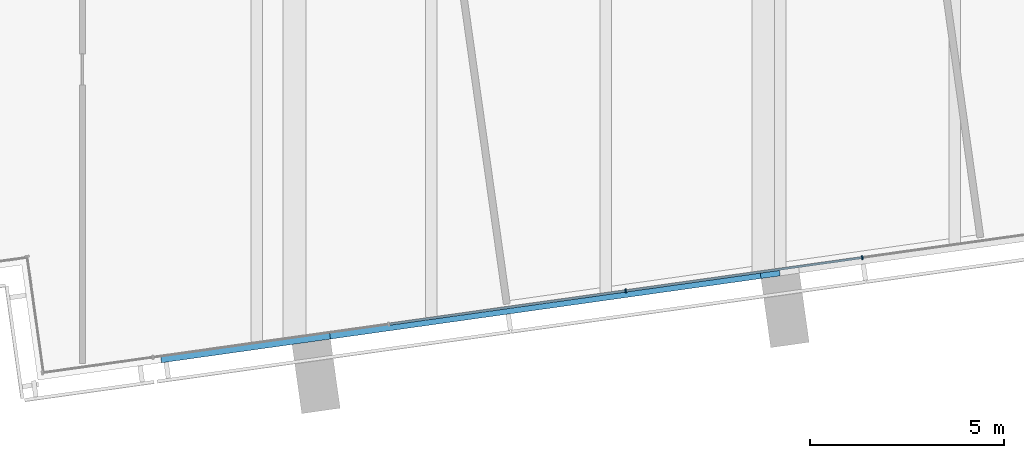
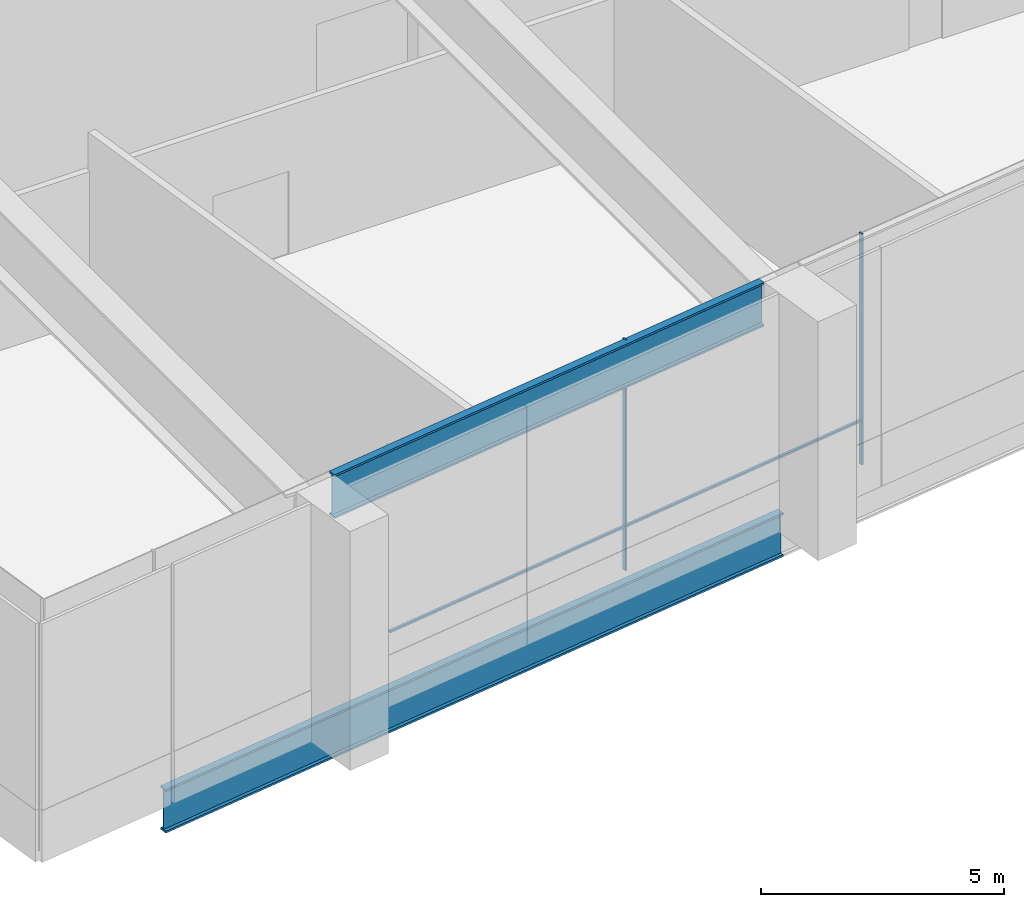
# One storey, part 3 of 25: 4 members, 2 beams, 1 element without a shape of its own.
"""IFC4 building model written with IfcOpenShell, lengths in metres."""

from ifc_helpers import new_model, si_unit, direction, frame, origin, origin_2d, place, context, subcontext, project, spatial, rectangle, i_section, extrude, material, layer, layer_set, material_profile, profile_set, type_object, element, aggregate, save


model = new_model("IFC4")

# Units and contexts
model_context = context("Model", 3, precision=1e-05, world=origin(), true_north=direction((0.0, 1.0)))
body_context = subcontext(model_context, "Body", "Model", "MODEL_VIEW")
ifc_project = project(units=[si_unit("LENGTHUNIT", "METRE"), si_unit("AREAUNIT", "SQUARE_METRE"), si_unit("VOLUMEUNIT", "CUBIC_METRE"), si_unit("PLANEANGLEUNIT", "RADIAN"), si_unit("MASSUNIT", "GRAM", prefix="KILO")], contexts=[model_context])

# Site, building, storey
site_placement = place(None, origin())
site = spatial("IfcSite", under=ifc_project, at=site_placement, CompositionType="ELEMENT")
building_placement = place(site_placement, origin())
building = spatial("IfcBuilding", under=site, at=building_placement, Name="Rattan Terrace Tower", CompositionType="ELEMENT")
storey_placement = place(building_placement, frame((0.0, 0.0, 286.300048828125)))
storey = spatial("IfcBuildingStorey", under=building, at=storey_placement, Name="L66", CompositionType="ELEMENT", Elevation=286.300048828125)

# Beams
ifc_material_1 = material(Name="Steel S460", Category="steel")
ifc_material_profile_1 = material_profile(ifc_material_1, i_section(OverallWidth=0.179931640625, OverallDepth=1.10009765625, WebThickness=0.01611328125, FlangeThickness=0.050048828125, at=origin_2d()), Name="PG 1100x180-16-50")
ifc_profile_set_1 = profile_set([ifc_material_profile_1], Name="Steel S460")
beam_type_1 = type_object("IfcBeamType", Name="Frame edge girder PG 1100x180-16-50", PredefinedType="SPANDREL", material=ifc_profile_set_1)
beam_1_placement = place(storey_placement, frame((-15.969970703125, -26.77099609375, -0.75), z_axis=(0.990265456284, 0.139191688294, 0.0), x_axis=(-0.139191688294, 0.990265456284, 0.0)))
element("IfcBeam", 1, at=beam_1_placement, inside=storey, type_object=beam_type_1, Name="gdr-L66-001", PredefinedType="SPANDREL", context=body_context, shape_type="SweptSolid", body=[
    extrude(i_section(OverallWidth=0.179931640625, OverallDepth=1.10009765625, WebThickness=0.01611328125, FlangeThickness=0.050048828125, at=origin_2d()), origin(), (0.0, 0.0, 1.0), 16.114013671875),
])
ifc_material_2 = material(Name="Steel S460", Category="steel")
ifc_material_profile_2 = material_profile(ifc_material_2, i_section(OverallWidth=0.179931640625, OverallDepth=1.10009765625, WebThickness=0.01611328125, FlangeThickness=0.050048828125, at=origin_2d()), Name="PG 1100x180-16-50")
ifc_profile_set_2 = profile_set([ifc_material_profile_2], Name="Steel S460")
beam_type_2 = type_object("IfcBeamType", Name="Frame transfer girder PG 1100x180-16-50", PredefinedType="USERDEFINED", material=ifc_profile_set_2)
beam_2_placement = place(storey_placement, frame((-11.613037109375, -26.158935546875, 5.25), z_axis=(0.990263988974, 0.139202126929, 0.0), x_axis=(-0.139202126929, 0.990263988974, 0.0)))
element("IfcBeam", 2, at=beam_2_placement, inside=storey, type_object=beam_type_2, Name="trf-L66-005", ObjectType="TRANSFER GIRDER", PredefinedType="USERDEFINED", context=body_context, shape_type="SweptSolid", body=[
    extrude(i_section(OverallWidth=0.179931640625, OverallDepth=1.10009765625, WebThickness=0.01611328125, FlangeThickness=0.050048828125, at=origin_2d()), origin(), (0.0, 0.0, 1.0), 11.214111328125),
])

# Curtain wall, members
ifc_material_3 = material(Name="Aluminium and structural silicone glass", Category="aluminium")
ifc_layer = layer(ifc_material_3, 0.10009765625)
ifc_layer_set = layer_set([ifc_layer], Name="Observation Structural Silicone Curtain Wall")
curtain_wall_type = type_object("IfcCurtainWallType", Name="Observation Structural Silicone Curtain Wall", PredefinedType="NOTDEFINED", material=ifc_layer_set)
curtain_wall_placement = place(storey_placement, origin())
curtain_wall = element("IfcCurtainWall", 3, at=curtain_wall_placement, inside=storey, type_object=curtain_wall_type, Name="Observation curtain wall L66-24", PredefinedType="NOTDEFINED")
ifc_material_4 = material(Name="Aluminium", Category="aluminium")
ifc_material_profile_3 = material_profile(ifc_material_4, rectangle(XDim=0.0400390625, YDim=0.10009765625, at=origin_2d()), Name="Aluminium 40x100")
ifc_profile_set_3 = profile_set([ifc_material_profile_3], Name="Aluminium")
member_type_1 = type_object("IfcMemberType", Name="Observation CW Mullion 40x100", PredefinedType="MULLION", material=ifc_profile_set_3)
member_1_placement = place(storey_placement, frame((-3.98779296875, -25.005126953125, 0.0), z_axis=(0.0, 0.0, 1.0), x_axis=(0.990265894013, 0.139188574079, 0.0)))
member_1 = element("IfcMember", 4, at=member_1_placement, type_object=member_type_1, Name="Mullion cwl-L66-024.3", PredefinedType="MULLION", context=body_context, shape_type="SweptSolid", body=[
    extrude(rectangle(XDim=0.0400390625, YDim=0.10009765625, at=origin_2d()), origin(), (0.0, 0.0, 1.0), 5.800048828125),
])
member_2_placement = place(storey_placement, frame((2.1181640625, -24.14697265625, 0.0), z_axis=(0.0, 0.0, 1.0), x_axis=(0.990265894013, 0.139188574079, 0.0)))
member_2 = element("IfcMember", 5, at=member_2_placement, type_object=member_type_1, Name="Mullion cwl-L66-024.4", PredefinedType="MULLION", context=body_context, shape_type="SweptSolid", body=[
    extrude(rectangle(XDim=0.0400390625, YDim=0.10009765625, at=origin_2d()), origin(), (0.0, 0.0, 1.0), 5.800048828125),
])
ifc_material_5 = material(Name="Aluminium", Category="aluminium")
ifc_material_profile_4 = material_profile(ifc_material_5, rectangle(XDim=0.06005859375, YDim=0.050048828125, at=origin_2d()), Name="Aluminium 60x50")
ifc_profile_set_4 = profile_set([ifc_material_profile_4], Name="Aluminium")
member_type_2 = type_object("IfcMemberType", Name="Observation CW Transom 60x50", PredefinedType="USERDEFINED", material=ifc_profile_set_4)
member_3_placement = place(storey_placement, frame((-10.073974609375, -25.860595703125, 1.099853515625), z_axis=(0.990268940165, 0.139166900316, 0.0), x_axis=(-0.139166900316, 0.990268940165, 0.0)))
member_3 = element("IfcMember", 6, at=member_3_placement, type_object=member_type_2, Name="Transom cwl-L66-024.2", ObjectType="TRANSOM", PredefinedType="USERDEFINED", context=body_context, shape_type="SweptSolid", body=[
    extrude(rectangle(XDim=0.06005859375, YDim=0.050048828125, at=origin_2d()), origin(), (0.0, 0.0, 1.0), 6.1259765625),
])
member_4_placement = place(storey_placement, frame((-3.968017578125, -25.00244140625, 1.099853515625), z_axis=(0.990263447168, 0.139205981204, 0.0), x_axis=(-0.139205981204, 0.990263447168, 0.0)))
member_4 = element("IfcMember", 7, at=member_4_placement, type_object=member_type_2, Name="Transom cwl-L66-024.3", ObjectType="TRANSOM", PredefinedType="USERDEFINED", context=body_context, shape_type="SweptSolid", body=[
    extrude(rectangle(XDim=0.06005859375, YDim=0.050048828125, at=origin_2d()), origin(), (0.0, 0.0, 1.0), 6.1259765625),
])
aggregate(curtain_wall, [member_1, member_2, member_3, member_4])

save(model, "model.ifc")
